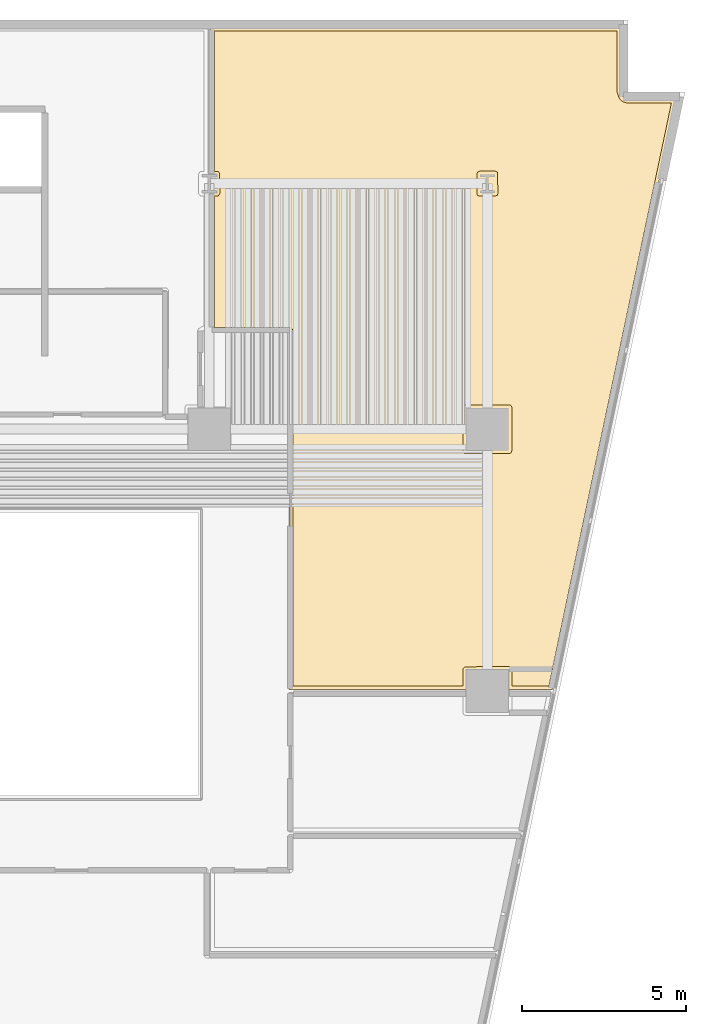
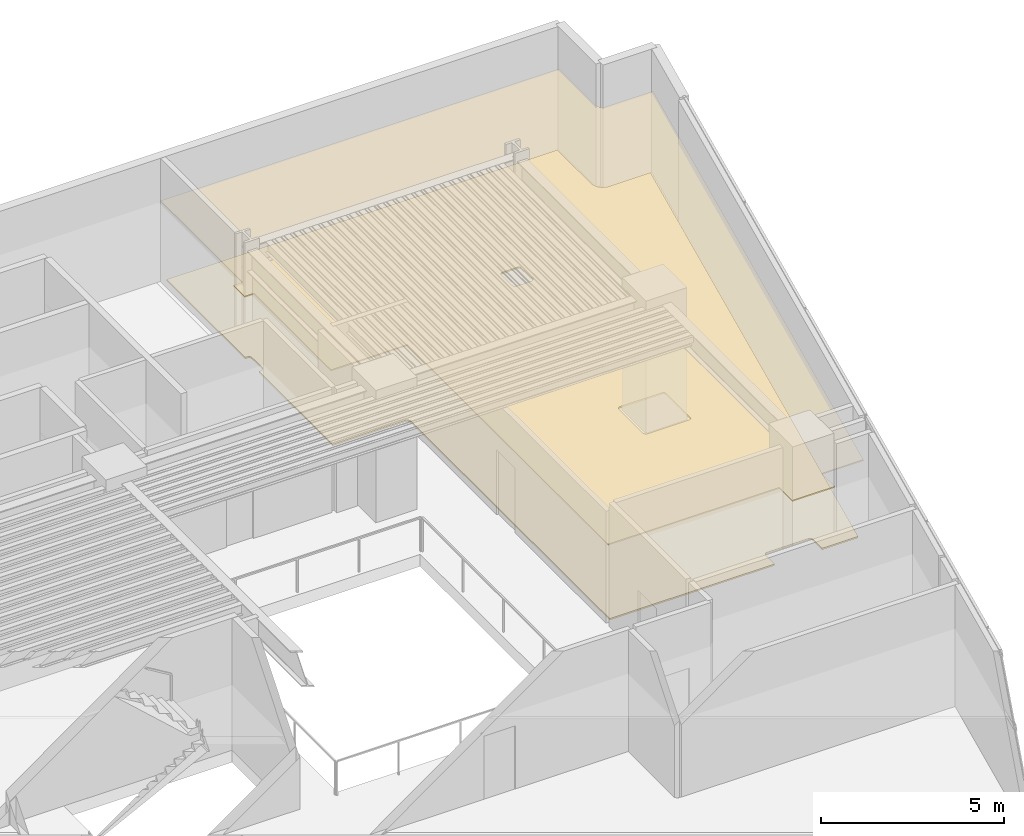
# One storey, part 12 of 12: 2 coverings.
"""IFC4 building model written with IfcOpenShell, lengths in metres."""

from ifc_helpers import new_model, si_unit, direction, frame, origin, place, context, subcontext, project, spatial, polyline, outline, extrude, material, layer, layer_set, type_object, element, save


model = new_model("IFC4")

# Units and contexts
model_context = context("Model", 3, precision=1e-05, world=origin(), true_north=direction((0.0, 1.0)))
body_context = subcontext(model_context, "Body", "Model", "MODEL_VIEW")
ifc_project = project(units=[si_unit("LENGTHUNIT", "METRE"), si_unit("AREAUNIT", "SQUARE_METRE"), si_unit("VOLUMEUNIT", "CUBIC_METRE"), si_unit("PLANEANGLEUNIT", "RADIAN"), si_unit("MASSUNIT", "GRAM", prefix="KILO")], contexts=[model_context])

# Site, building, storey
site_placement = place(None, origin())
site = spatial("IfcSite", under=ifc_project, at=site_placement, CompositionType="ELEMENT")
building_placement = place(site_placement, origin())
building = spatial("IfcBuilding", under=site, at=building_placement, Name="Caeloran Harvest Quay", CompositionType="ELEMENT")
storey_placement = place(building_placement, frame((0.0, 0.0, 27.0)))
storey = spatial("IfcBuildingStorey", under=building, at=storey_placement, Name="L06", CompositionType="ELEMENT", Elevation=27.0)

# Coverings
ifc_material_1 = material(Name="Perforated Mineral-Fibre Acoustic Ceiling Tile", Category="ceiling")
ifc_layer_1 = layer(ifc_material_1, 0.0400390625, Name="Perforated Mineral-Fibre Acoustic Ceiling Tile")
ifc_layer_set_1 = layer_set([ifc_layer_1], Name="Perforated Mineral-Fibre Acoustic Ceiling Tile")
covering_type_1 = type_object("IfcCoveringType", Name="COV-CEILING-ACOUSTIC", PredefinedType="CEILING", material=ifc_layer_set_1)
covering_1_placement = place(storey_placement, frame((0.0, 0.0, 2.60009765625)))
element("IfcCovering", 1, at=covering_1_placement, inside=storey, type_object=covering_type_1, Name="Aeroponic Root-Mist Growing Chamber 10 Acoustic Ceiling", PredefinedType="CEILING", context=body_context, shape_type="SweptSolid", body=[
    extrude(outline(polyline([(50.330078125, 23.0400390625), (44.93994140625, 23.0400390625), (44.93994140625, 33.989990234375), (42.5400390625, 33.989990234375), (42.5400390625, 38.195556640625), (42.2529296875, 38.195556640625), (42.2529296875, 38.804443359375), (42.5400390625, 38.804443359375), (42.5400390625, 43.280029296875), (55.080078125, 43.280029296875), (55.080078125, 41.301025390625), (55.089599609375, 41.236083984375), (55.1298828125, 41.160400390625), (55.1962890625, 41.10595703125), (55.2783203125, 41.0810546875), (56.766845703125, 41.080078125), (52.97705078125, 23.0400390625), (51.669921875, 23.0400390625), (51.669921875, 22.330078125), (50.330078125, 22.330078125), (50.330078125, 23.0400390625)])), origin(), (0.0, 0.0, 1.0), 0.039794921875),
])
ifc_material_2 = material(Name="Calcium-Sulphate Raised Access Floor and Terrazzo Finish", Category="flooring")
ifc_layer_2 = layer(ifc_material_2, 0.050048828125, Name="Calcium-Sulphate Raised Access Floor and Terrazzo Finish")
ifc_layer_set_2 = layer_set([ifc_layer_2], Name="Calcium-Sulphate Raised Access Floor and Terrazzo Finish")
covering_type_2 = type_object("IfcCoveringType", Name="COV-FLOOR-RAISED", PredefinedType="FLOORING", material=ifc_layer_set_2)
covering_2_placement = place(storey_placement, origin())
element("IfcCovering", 2, at=covering_2_placement, inside=storey, type_object=covering_type_2, Name="Aeroponic Root-Mist Growing Chamber 10 Raised Finish Flooring", PredefinedType="FLOORING", context=body_context, shape_type="SweptSolid", body=[
    extrude(outline(polyline([(45.056396484375, 34.028076171875), (45.0166015625, 34.08740234375), (44.953857421875, 34.10986328125), (42.659912109375, 34.110107421875), (42.659912109375, 38.12060546875), (42.77978515625, 38.1298828125), (42.822021484375, 38.200439453125), (42.820556640625, 38.815185546875), (42.772705078125, 38.873291015625), (42.659912109375, 38.87939453125), (42.659912109375, 43.159912109375), (54.9599609375, 43.159912109375), (54.960205078125, 41.296142578125), (55.034912109375, 41.08740234375), (55.143310546875, 40.998291015625), (55.2705078125, 40.961181640625), (56.618896484375, 40.9599609375), (52.879638671875, 23.159912109375), (51.7451171875, 23.159912109375), (51.74462890625, 23.6728515625), (51.7158203125, 23.726806640625), (51.6650390625, 23.7451171875), (50.304443359375, 23.739013671875), (50.25537109375, 23.6728515625), (50.2548828125, 23.159912109375), (45.06005859375, 23.159912109375), (45.056396484375, 34.028076171875)]), holes=[polyline([(51.7451171875, 31.6650390625), (51.7216796875, 31.7216796875), (51.6650390625, 31.7451171875), (50.3349609375, 31.7451171875), (50.2783203125, 31.7216796875), (50.2548828125, 31.6650390625), (50.2548828125, 30.3349609375), (50.2783203125, 30.2783203125), (50.3349609375, 30.2548828125), (51.6650390625, 30.2548828125), (51.7216796875, 30.2783203125), (51.7451171875, 30.3349609375), (51.7451171875, 31.6650390625)]), polyline([(51.322021484375, 38.200439453125), (51.3037109375, 38.850341796875), (51.249755859375, 38.879150390625), (50.758056640625, 38.87939453125), (50.701416015625, 38.856201171875), (50.677978515625, 38.799560546875), (50.677978515625, 38.200439453125), (50.701416015625, 38.143798828125), (50.758056640625, 38.12060546875), (51.241943359375, 38.12060546875), (51.298583984375, 38.143798828125), (51.322021484375, 38.200439453125)])]), origin(), (0.0, 0.0, 1.0), 0.050048828125),
])

save(model, "model.ifc")
